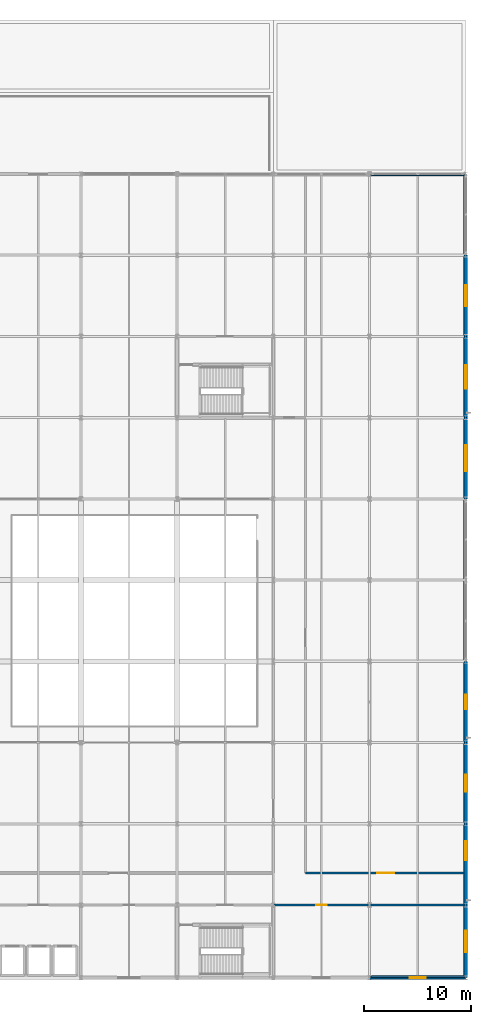
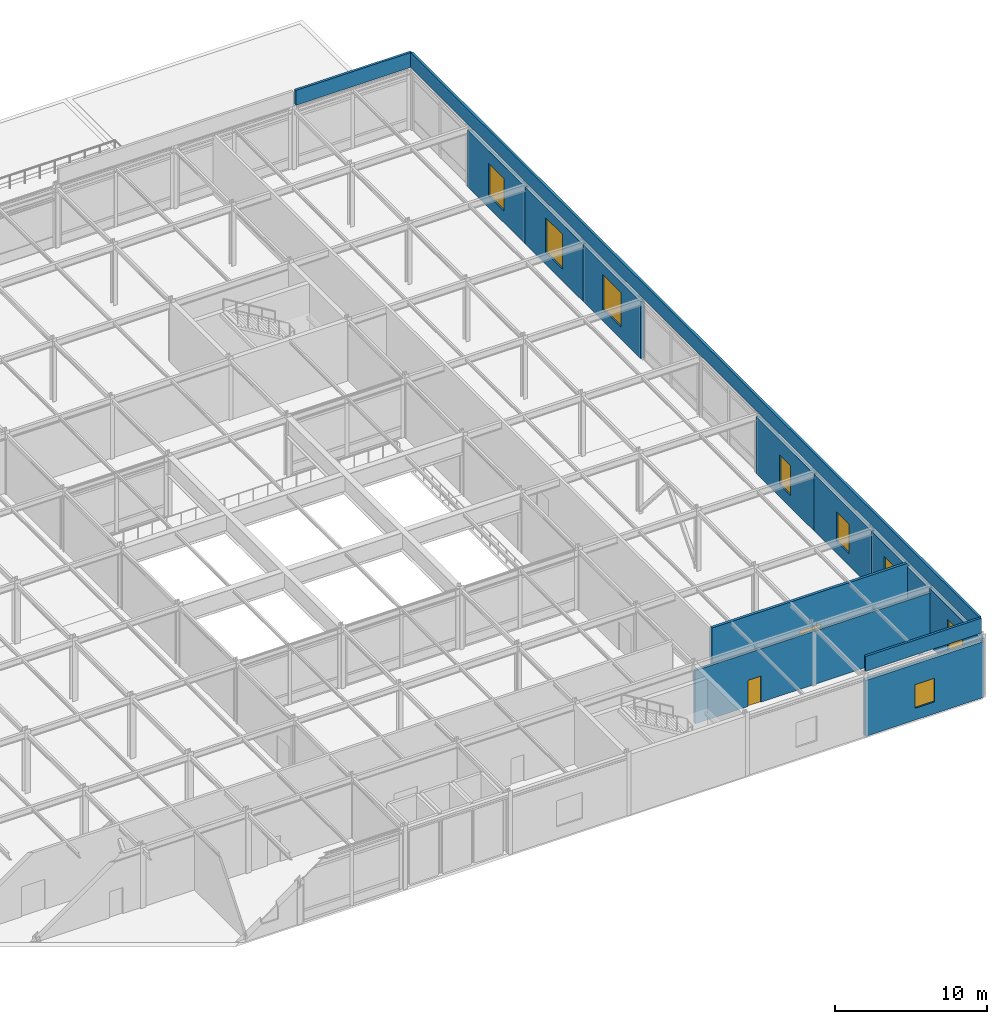
# One storey, part 65 of 79: 13 walls, 8 windows, 2 doors, 10 openings.
"""IFC4 building model written with IfcOpenShell, lengths in metres."""

from ifc_helpers import new_model, si_unit, direction, frame, frame_2d, origin, place, context, subcontext, project, spatial, rectangle, extrude, material, layer, layer_set, type_object, element, fill, save


model = new_model("IFC4")

# Units and contexts
model_context = context("Model", 3, precision=1e-05, world=origin(), true_north=direction((0.0, 1.0)))
body_context = subcontext(model_context, "Body", "Model", "MODEL_VIEW")
ifc_project = project(units=[si_unit("LENGTHUNIT", "METRE"), si_unit("AREAUNIT", "SQUARE_METRE"), si_unit("VOLUMEUNIT", "CUBIC_METRE"), si_unit("PLANEANGLEUNIT", "RADIAN"), si_unit("MASSUNIT", "GRAM", prefix="KILO")], contexts=[model_context])

# Site, building, storey
site_placement = place(None, origin())
site = spatial("IfcSite", under=ifc_project, at=site_placement, CompositionType="ELEMENT")
building_placement = place(site_placement, origin())
building = spatial("IfcBuilding", under=site, at=building_placement, Name="Shalkamar Park Central Library", CompositionType="ELEMENT")
storey_placement = place(building_placement, frame((0.0, 0.0, 10.5)))
storey = spatial("IfcBuildingStorey", under=building, at=storey_placement, Name="L03", CompositionType="ELEMENT", Elevation=10.5)

# Wall, opening, door
ifc_material_1 = material(Name="Fire-rated corridor partition wall", Category="masonry")
ifc_layer_1 = layer(ifc_material_1, 0.199951171875)
ifc_layer_set_1 = layer_set([ifc_layer_1], Name="CorridorFireWall_200")
wall_type_1 = type_object("IfcWallType", Name="Corridor Fire Wall 200", PredefinedType="PARTITIONING", material=ifc_layer_set_1)
wall_1_placement = place(storey_placement, frame((255.0, 255.199951171875, 0.0), z_axis=(0.0, 0.0, 1.0), x_axis=(1.0, 0.0, 0.0)))
wall_1 = element("IfcWall", 1, at=wall_1_placement, inside=storey, type_object=wall_type_1, Name="Interior Partition WL-INT-L03-017", PredefinedType="PARTITIONING", context=body_context, shape_type="SweptSolid", body=[
    extrude(rectangle(XDim=18.0, YDim=0.199951171875, at=frame_2d((9.0, 0.0))), origin(), (0.0, 0.0, 1.0), 4.2880859375),
])
opening_1_placement = place(wall_1_placement, frame((4.0, 0.0, 0.0)))
opening_1 = element("IfcOpeningElement", 2, at=opening_1_placement, cuts=wall_1, Name="Opening DR-L03-017", PredefinedType="OPENING", context=body_context, shape_type="SweptSolid", body=[
    extrude(rectangle(XDim=1.0, YDim=2.10009765625, at=frame_2d((0.5, 1.050048828125))), frame((0.0, 0.11474609375, 0.0), z_axis=(0.0, -1.0, 0.0), x_axis=(1.0, 0.0, 0.0)), (0.0, 0.0, 1.0), 0.229736328125),
])
ifc_material_2 = material(Name="Steel S355", Category="steel")
door_type_1 = type_object("IfcDoorType", Name="Interior Door Single 1000x2100", OperationType="NOTDEFINED", PredefinedType="DOOR", material=ifc_material_2)
door_1_placement = place(opening_1_placement, frame((1.0, 0.0, 0.0), z_axis=(0.0, 0.0, 1.0), x_axis=(-1.0, 0.0, 0.0)))
door_1 = element("IfcDoor", 3, at=door_1_placement, inside=storey, type_object=door_type_1, Name="L03 East Studio Door", OperationType="SINGLE_SWING_RIGHT", OverallHeight=2.10009765625, OverallWidth=1.0, PredefinedType="DOOR", context=body_context, shape_type="SweptSolid", body=[
    extrude(rectangle(XDim=1.0, YDim=2.10009765625, at=frame_2d((0.5, 1.050048828125))), frame((0.0, 0.02490234375, 0.0), z_axis=(0.0, -1.0, 0.0), x_axis=(1.0, 0.0, 0.0)), (0.0, 0.0, 1.0), 0.050048828125),
])
fill(opening_1, door_1)

wall_2_placement = place(storey_placement, frame((258.0, 258.199951171875, 0.0), z_axis=(0.0, 0.0, 1.0), x_axis=(1.0, 0.0, 0.0)))
wall_2 = element("IfcWall", 4, at=wall_2_placement, inside=storey, type_object=wall_type_1, Name="Interior Partition WL-INT-L03-028", PredefinedType="PARTITIONING", context=body_context, shape_type="SweptSolid", body=[
    extrude(rectangle(XDim=15.0, YDim=0.199951171875, at=frame_2d((7.5, 0.0))), origin(), (0.0, 0.0, 1.0), 4.840087890625),
])
opening_2_placement = place(wall_2_placement, frame((6.699951171875, 0.0, 0.0)))
opening_2 = element("IfcOpeningElement", 5, at=opening_2_placement, cuts=wall_2, Name="Opening DR-L03-030", PredefinedType="OPENING", context=body_context, shape_type="SweptSolid", body=[
    extrude(rectangle(XDim=1.60009765625, YDim=2.25, at=frame_2d((0.800048828125, 1.125))), frame((0.0, 0.11474609375, 0.0), z_axis=(0.0, -1.0, 0.0), x_axis=(1.0, 0.0, 0.0)), (0.0, 0.0, 1.0), 0.229736328125),
])
door_type_2 = type_object("IfcDoorType", Name="Interior Door Double 1600x2250", OperationType="DOUBLE_DOOR_SINGLE_SWING", PredefinedType="DOOR", material=ifc_material_2)
door_2_placement = place(opening_2_placement, origin())
door_2 = element("IfcDoor", 6, at=door_2_placement, inside=storey, type_object=door_type_2, Name="Cartography Reading Room South Door", OperationType="DOUBLE_DOOR_SINGLE_SWING", OverallHeight=2.25, OverallWidth=1.60009765625, PredefinedType="DOOR", context=body_context, shape_type="SweptSolid", body=[
    extrude(rectangle(XDim=1.60009765625, YDim=2.25, at=frame_2d((0.800048828125, 1.125))), frame((0.0, 0.02490234375, 0.0), z_axis=(0.0, -1.0, 0.0), x_axis=(1.0, 0.0, 0.0)), (0.0, 0.0, 1.0), 0.050048828125),
])
fill(opening_2, door_2)

# Walls
ifc_material_3 = material(Name="Concrete C35/45 precast", Category="concrete")
ifc_layer_2 = layer(ifc_material_3, 0.179931640625)
ifc_layer_set_2 = layer_set([ifc_layer_2], Name="Concrete C35/45 precast")
wall_type_2 = type_object("IfcWallType", Name="Roof Parapet Wall 180", PredefinedType="PARAPET", material=ifc_layer_set_2)
for number, where, z_axis, x_axis, name in (
    (7, (264.10009765625, 248.5, 5.10009765625), (0.0, 0.0, 1.0), (1.0, 0.0, 0.0), "Roof Parapet Wall L03-21"),
    (8, (264.10009765625, 323.5, 5.10009765625), (0.0, 0.0, 1.0), (1.0, 0.0, 0.0), "Roof Parapet Wall L03-22"),
):
    element("IfcWall", number, at=place(storey_placement, frame(where, z_axis=z_axis, x_axis=x_axis)), inside=storey, type_object=wall_type_2, Name=name, PredefinedType="PARAPET", context=body_context, shape_type="SweptSolid", body=[
        extrude(rectangle(XDim=8.7998046875, YDim=0.179931640625, at=frame_2d((4.39990234375, 0.0))), origin(), (0.0, 0.0, 1.0), 1.199951171875),
    ])
wall_3_placement = place(storey_placement, frame((272.89990234375, 248.60009765625, 5.10009765625), z_axis=(0.0, 0.0, 1.0), x_axis=(0.0, 1.0, 0.0)))
element("IfcWall", 9, at=wall_3_placement, inside=storey, type_object=wall_type_2, Name="Roof Parapet Wall L03-23", PredefinedType="PARAPET", context=body_context, shape_type="SweptSolid", body=[
    extrude(rectangle(XDim=74.7998046875, YDim=0.179931640625, at=frame_2d((37.39990234375, 0.0))), origin(), (0.0, 0.0, 1.0), 1.199951171875),
])

# Wall, opening, window
ifc_material_4 = material(Name="Travertine insulated rainscreen", Category="masonry")
ifc_layer_3 = layer(ifc_material_4, 0.2900390625)
ifc_layer_set_3 = layer_set([ifc_layer_3], Name="TravertineTerracottaWall_290")
wall_type_3 = type_object("IfcWallType", Name="Travertine Terracotta Wall 290", PredefinedType="SOLIDWALL", material=ifc_layer_set_3)
wall_4_placement = place(storey_placement, frame((264.006103515625, 248.39990234375, 0.0), z_axis=(0.0, 0.0, 1.0), x_axis=(1.0, 0.0, 0.0)))
wall_4 = element("IfcWall", 10, at=wall_4_placement, inside=storey, type_object=wall_type_3, Name="Exterior Facade Wall WL-EXT-L03-091", PredefinedType="SOLIDWALL", context=body_context, shape_type="SweptSolid", body=[
    extrude(rectangle(XDim=8.98779296875, YDim=0.2900390625, at=frame_2d((4.493896484375, 0.0))), origin(), (0.0, 0.0, 1.0), 4.488037109375),
])
opening_3_placement = place(wall_4_placement, frame((3.743896484375, 0.0, 0.949951171875)))
opening_3 = element("IfcOpeningElement", 11, at=opening_3_placement, cuts=wall_4, Name="Opening WN-14", PredefinedType="OPENING", context=body_context, shape_type="SweptSolid", body=[
    extrude(rectangle(XDim=1.5, YDim=1.89990234375, at=frame_2d((0.75, 0.949951171875))), frame((0.0, 0.159912109375, 0.0), z_axis=(0.0, -1.0, 0.0), x_axis=(1.0, 0.0, 0.0)), (0.0, 0.0, 1.0), 0.31982421875),
])
ifc_material_5 = material(Name="Thermally broken aluminium and triple low-e glass", Category="glass")
window_type_1 = type_object("IfcWindowType", Name="Tower Window 1500x1900", PartitioningType="SINGLE_PANEL", PredefinedType="WINDOW", material=ifc_material_5)
window_1_placement = place(opening_3_placement, origin())
window_1 = element("IfcWindow", 12, at=window_1_placement, inside=storey, type_object=window_type_1, Name="Facade Window WN-L03-055", OverallHeight=1.89990234375, OverallWidth=1.5, PartitioningType="SINGLE_PANEL", PredefinedType="WINDOW", context=body_context, shape_type="SweptSolid", body=[
    extrude(rectangle(XDim=1.5, YDim=1.89990234375, at=frame_2d((0.75, 0.949951171875))), frame((0.0, 0.030029296875, 0.0), z_axis=(0.0, -1.0, 0.0), x_axis=(1.0, 0.0, 0.0)), (0.0, 0.0, 1.0), 0.06005859375),
])
fill(opening_3, window_1)

wall_5_placement = place(storey_placement, frame((273.0, 248.406005859375, 0.0), z_axis=(0.0, 0.0, 1.0), x_axis=(0.0, 1.0, 0.0)))
wall_5 = element("IfcWall", 13, at=wall_5_placement, inside=storey, type_object=wall_type_3, Name="Exterior Facade Wall WL-EXT-L03-101", PredefinedType="SOLIDWALL", context=body_context, shape_type="SweptSolid", body=[
    extrude(rectangle(XDim=6.7880859375, YDim=0.2900390625, at=frame_2d((3.39404296875, 0.0))), origin(), (0.0, 0.0, 1.0), 4.617919921875),
])
opening_4_placement = place(wall_5_placement, frame((2.39404296875, 0.0, 0.949951171875)))
opening_4 = element("IfcOpeningElement", 14, at=opening_4_placement, cuts=wall_5, Name="Opening WN-05", PredefinedType="OPENING", context=body_context, shape_type="SweptSolid", body=[
    extrude(rectangle(XDim=2.0, YDim=2.60009765625, at=frame_2d((1.0, 1.300048828125))), frame((0.0, 0.159912109375, 0.0), z_axis=(0.0, -1.0, 0.0), x_axis=(1.0, 0.0, 0.0)), (0.0, 0.0, 1.0), 0.31982421875),
])
window_type_2 = type_object("IfcWindowType", Name="Podium Window 2000x2600", PartitioningType="DOUBLE_PANEL_VERTICAL", PredefinedType="WINDOW", material=ifc_material_5)
window_2_placement = place(opening_4_placement, origin())
window_2 = element("IfcWindow", 15, at=window_2_placement, inside=storey, type_object=window_type_2, Name="Facade Window WN-L03-063", OverallHeight=2.60009765625, OverallWidth=2.0, PartitioningType="DOUBLE_PANEL_VERTICAL", PredefinedType="WINDOW", context=body_context, shape_type="SweptSolid", body=[
    extrude(rectangle(XDim=2.0, YDim=2.60009765625, at=frame_2d((1.0, 1.300048828125))), frame((0.0, 0.030029296875, 0.0), z_axis=(0.0, -1.0, 0.0), x_axis=(1.0, 0.0, 0.0)), (0.0, 0.0, 1.0), 0.06005859375),
])
fill(opening_4, window_2)

wall_6_placement = place(storey_placement, frame((273.0, 255.2060546875, 0.0), z_axis=(0.0, 0.0, 1.0), x_axis=(0.0, 1.0, 0.0)))
wall_6 = element("IfcWall", 16, at=wall_6_placement, inside=storey, type_object=wall_type_3, Name="Exterior Facade Wall WL-EXT-L03-102", PredefinedType="SOLIDWALL", context=body_context, shape_type="SweptSolid", body=[
    extrude(rectangle(XDim=7.587890625, YDim=0.2900390625, at=frame_2d((3.7939453125, 0.0))), origin(), (0.0, 0.0, 1.0), 4.577880859375),
])
opening_5_placement = place(wall_6_placement, frame((4.166015625, 0.0, 0.949951171875)))
opening_5 = element("IfcOpeningElement", 17, at=opening_5_placement, cuts=wall_6, Name="Opening WN-06", PredefinedType="OPENING", context=body_context, shape_type="SweptSolid", body=[
    extrude(rectangle(XDim=1.800048828125, YDim=2.60009765625, at=frame_2d((0.89990234375, 1.300048828125))), frame((0.0, 0.159912109375, 0.0), z_axis=(0.0, -1.0, 0.0), x_axis=(1.0, 0.0, 0.0)), (0.0, 0.0, 1.0), 0.31982421875),
])
window_type_3 = type_object("IfcWindowType", Name="Podium Window 1800x2600", PartitioningType="DOUBLE_PANEL_VERTICAL", PredefinedType="WINDOW", material=ifc_material_5)
window_3_placement = place(opening_5_placement, origin())
window_3 = element("IfcWindow", 18, at=window_3_placement, inside=storey, type_object=window_type_3, Name="Facade Window WN-L03-064", OverallHeight=2.60009765625, OverallWidth=1.800048828125, PartitioningType="DOUBLE_PANEL_VERTICAL", PredefinedType="WINDOW", context=body_context, shape_type="SweptSolid", body=[
    extrude(rectangle(XDim=1.800048828125, YDim=2.60009765625, at=frame_2d((0.89990234375, 1.300048828125))), frame((0.0, 0.030029296875, 0.0), z_axis=(0.0, -1.0, 0.0), x_axis=(1.0, 0.0, 0.0)), (0.0, 0.0, 1.0), 0.06005859375),
])
fill(opening_5, window_3)

wall_7_placement = place(storey_placement, frame((273.0, 262.805908203125, 0.0), z_axis=(0.0, 0.0, 1.0), x_axis=(0.0, 1.0, 0.0)))
wall_7 = element("IfcWall", 19, at=wall_7_placement, inside=storey, type_object=wall_type_3, Name="Exterior Facade Wall WL-EXT-L03-103", PredefinedType="SOLIDWALL", context=body_context, shape_type="SweptSolid", body=[
    extrude(rectangle(XDim=7.588134765625, YDim=0.2900390625, at=frame_2d((3.7939453125, 0.0))), origin(), (0.0, 0.0, 1.0), 4.577880859375),
])
opening_6_placement = place(wall_7_placement, frame((2.993896484375, 0.0, 0.949951171875)))
opening_6 = element("IfcOpeningElement", 20, at=opening_6_placement, cuts=wall_7, Name="Opening WN-07", PredefinedType="OPENING", context=body_context, shape_type="SweptSolid", body=[
    extrude(rectangle(XDim=1.60009765625, YDim=2.39990234375, at=frame_2d((0.800048828125, 1.199951171875))), frame((0.0, 0.159912109375, 0.0), z_axis=(0.0, -1.0, 0.0), x_axis=(1.0, 0.0, 0.0)), (0.0, 0.0, 1.0), 0.31982421875),
])
window_type_4 = type_object("IfcWindowType", Name="Podium Window 1600x2400", PartitioningType="SINGLE_PANEL", PredefinedType="WINDOW", material=ifc_material_5)
window_4_placement = place(opening_6_placement, origin())
window_4 = element("IfcWindow", 21, at=window_4_placement, inside=storey, type_object=window_type_4, Name="Facade Window WN-L03-065", OverallHeight=2.39990234375, OverallWidth=1.60009765625, PartitioningType="SINGLE_PANEL", PredefinedType="WINDOW", context=body_context, shape_type="SweptSolid", body=[
    extrude(rectangle(XDim=1.60009765625, YDim=2.39990234375, at=frame_2d((0.800048828125, 1.199951171875))), frame((0.0, 0.030029296875, 0.0), z_axis=(0.0, -1.0, 0.0), x_axis=(1.0, 0.0, 0.0)), (0.0, 0.0, 1.0), 0.06005859375),
])
fill(opening_6, window_4)

wall_8_placement = place(storey_placement, frame((273.0, 270.406005859375, 0.0), z_axis=(0.0, 0.0, 1.0), x_axis=(0.0, 1.0, 0.0)))
wall_8 = element("IfcWall", 22, at=wall_8_placement, inside=storey, type_object=wall_type_3, Name="Exterior Facade Wall WL-EXT-L03-104", PredefinedType="SOLIDWALL", context=body_context, shape_type="SweptSolid", body=[
    extrude(rectangle(XDim=7.587890625, YDim=0.2900390625, at=frame_2d((3.7939453125, 0.0))), origin(), (0.0, 0.0, 1.0), 4.577880859375),
])
opening_7_placement = place(wall_8_placement, frame((3.093994140625, 0.0, 0.949951171875)))
opening_7 = element("IfcOpeningElement", 23, at=opening_7_placement, cuts=wall_8, Name="Opening WN-08", PredefinedType="OPENING", context=body_context, shape_type="SweptSolid", body=[
    extrude(rectangle(XDim=1.39990234375, YDim=2.39990234375, at=frame_2d((0.699951171875, 1.199951171875))), frame((0.0, 0.159912109375, 0.0), z_axis=(0.0, -1.0, 0.0), x_axis=(1.0, 0.0, 0.0)), (0.0, 0.0, 1.0), 0.31982421875),
])
window_type_5 = type_object("IfcWindowType", Name="Podium Window 1400x2400", PartitioningType="SINGLE_PANEL", PredefinedType="WINDOW", material=ifc_material_5)
window_5_placement = place(opening_7_placement, origin())
window_5 = element("IfcWindow", 24, at=window_5_placement, inside=storey, type_object=window_type_5, Name="Facade Window WN-L03-066", OverallHeight=2.39990234375, OverallWidth=1.39990234375, PartitioningType="SINGLE_PANEL", PredefinedType="WINDOW", context=body_context, shape_type="SweptSolid", body=[
    extrude(rectangle(XDim=1.39990234375, YDim=2.39990234375, at=frame_2d((0.699951171875, 1.199951171875))), frame((0.0, 0.030029296875, 0.0), z_axis=(0.0, -1.0, 0.0), x_axis=(1.0, 0.0, 0.0)), (0.0, 0.0, 1.0), 0.06005859375),
])
fill(opening_7, window_5)

wall_9_placement = place(storey_placement, frame((273.0, 293.2060546875, 0.0), z_axis=(0.0, 0.0, 1.0), x_axis=(0.0, 1.0, 0.0)))
wall_9 = element("IfcWall", 25, at=wall_9_placement, inside=storey, type_object=wall_type_3, Name="Exterior Facade Wall WL-EXT-L03-105", PredefinedType="SOLIDWALL", context=body_context, shape_type="SweptSolid", body=[
    extrude(rectangle(XDim=7.587890625, YDim=0.2900390625, at=frame_2d((3.7939453125, 0.0))), origin(), (0.0, 0.0, 1.0), 4.577880859375),
])
opening_8_placement = place(wall_9_placement, frame((2.593994140625, 0.0, 0.949951171875)))
opening_8 = element("IfcOpeningElement", 26, at=opening_8_placement, cuts=wall_9, Name="Opening WN-03", PredefinedType="OPENING", context=body_context, shape_type="SweptSolid", body=[
    extrude(rectangle(XDim=2.39990234375, YDim=2.800048828125, at=frame_2d((1.199951171875, 1.39990234375))), frame((0.0, 0.159912109375, 0.0), z_axis=(0.0, -1.0, 0.0), x_axis=(1.0, 0.0, 0.0)), (0.0, 0.0, 1.0), 0.31982421875),
])
window_type_6 = type_object("IfcWindowType", Name="Podium Window 2400x2800", PartitioningType="DOUBLE_PANEL_VERTICAL", PredefinedType="WINDOW", material=ifc_material_5)
window_6_placement = place(opening_8_placement, origin())
window_6 = element("IfcWindow", 27, at=window_6_placement, inside=storey, type_object=window_type_6, Name="Facade Window WN-L03-067", OverallHeight=2.800048828125, OverallWidth=2.39990234375, PartitioningType="DOUBLE_PANEL_VERTICAL", PredefinedType="WINDOW", context=body_context, shape_type="SweptSolid", body=[
    extrude(rectangle(XDim=2.39990234375, YDim=2.800048828125, at=frame_2d((1.199951171875, 1.39990234375))), frame((0.0, 0.030029296875, 0.0), z_axis=(0.0, -1.0, 0.0), x_axis=(1.0, 0.0, 0.0)), (0.0, 0.0, 1.0), 0.06005859375),
])
fill(opening_8, window_6)

wall_10_placement = place(storey_placement, frame((273.0, 300.805908203125, 0.0), z_axis=(0.0, 0.0, 1.0), x_axis=(0.0, 1.0, 0.0)))
wall_10 = element("IfcWall", 28, at=wall_10_placement, inside=storey, type_object=wall_type_3, Name="Exterior Facade Wall WL-EXT-L03-106", PredefinedType="SOLIDWALL", context=body_context, shape_type="SweptSolid", body=[
    extrude(rectangle(XDim=7.588134765625, YDim=0.2900390625, at=frame_2d((3.7939453125, 0.0))), origin(), (0.0, 0.0, 1.0), 4.577880859375),
])
opening_9_placement = place(wall_10_placement, frame((2.694091796875, 0.0, 0.949951171875)))
opening_9 = element("IfcOpeningElement", 29, at=opening_9_placement, cuts=wall_10, Name="Opening WN-04", PredefinedType="OPENING", context=body_context, shape_type="SweptSolid", body=[
    extrude(rectangle(XDim=2.199951171875, YDim=2.800048828125, at=frame_2d((1.10009765625, 1.39990234375))), frame((0.0, 0.159912109375, 0.0), z_axis=(0.0, -1.0, 0.0), x_axis=(1.0, 0.0, 0.0)), (0.0, 0.0, 1.0), 0.31982421875),
])
window_type_7 = type_object("IfcWindowType", Name="Podium Window 2200x2800", PartitioningType="DOUBLE_PANEL_VERTICAL", PredefinedType="WINDOW", material=ifc_material_5)
window_7_placement = place(opening_9_placement, origin())
window_7 = element("IfcWindow", 30, at=window_7_placement, inside=storey, type_object=window_type_7, Name="Facade Window WN-L03-068", OverallHeight=2.800048828125, OverallWidth=2.199951171875, PartitioningType="DOUBLE_PANEL_VERTICAL", PredefinedType="WINDOW", context=body_context, shape_type="SweptSolid", body=[
    extrude(rectangle(XDim=2.199951171875, YDim=2.800048828125, at=frame_2d((1.10009765625, 1.39990234375))), frame((0.0, 0.030029296875, 0.0), z_axis=(0.0, -1.0, 0.0), x_axis=(1.0, 0.0, 0.0)), (0.0, 0.0, 1.0), 0.06005859375),
])
fill(opening_9, window_7)

wall_11_placement = place(storey_placement, frame((273.0, 308.406005859375, 0.0), z_axis=(0.0, 0.0, 1.0), x_axis=(0.0, 1.0, 0.0)))
wall_11 = element("IfcWall", 31, at=wall_11_placement, inside=storey, type_object=wall_type_3, Name="Exterior Facade Wall WL-EXT-L03-107", PredefinedType="SOLIDWALL", context=body_context, shape_type="SweptSolid", body=[
    extrude(rectangle(XDim=7.587890625, YDim=0.2900390625, at=frame_2d((3.7939453125, 0.0))), origin(), (0.0, 0.0, 1.0), 4.577880859375),
])
opening_10_placement = place(wall_11_placement, frame((2.7939453125, 0.0, 0.949951171875)))
opening_10 = element("IfcOpeningElement", 32, at=opening_10_placement, cuts=wall_11, Name="Opening WN-05", PredefinedType="OPENING", context=body_context, shape_type="SweptSolid", body=[
    extrude(rectangle(XDim=2.0, YDim=2.60009765625, at=frame_2d((1.0, 1.300048828125))), frame((0.0, 0.159912109375, 0.0), z_axis=(0.0, -1.0, 0.0), x_axis=(1.0, 0.0, 0.0)), (0.0, 0.0, 1.0), 0.31982421875),
])
window_8_placement = place(opening_10_placement, origin())
window_8 = element("IfcWindow", 33, at=window_8_placement, inside=storey, type_object=window_type_2, Name="Facade Window WN-L03-069", OverallHeight=2.60009765625, OverallWidth=2.0, PartitioningType="DOUBLE_PANEL_VERTICAL", PredefinedType="WINDOW", context=body_context, shape_type="SweptSolid", body=[
    extrude(rectangle(XDim=2.0, YDim=2.60009765625, at=frame_2d((1.0, 1.300048828125))), frame((0.0, 0.030029296875, 0.0), z_axis=(0.0, -1.0, 0.0), x_axis=(1.0, 0.0, 0.0)), (0.0, 0.0, 1.0), 0.06005859375),
])
fill(opening_10, window_8)

save(model, "model.ifc")
